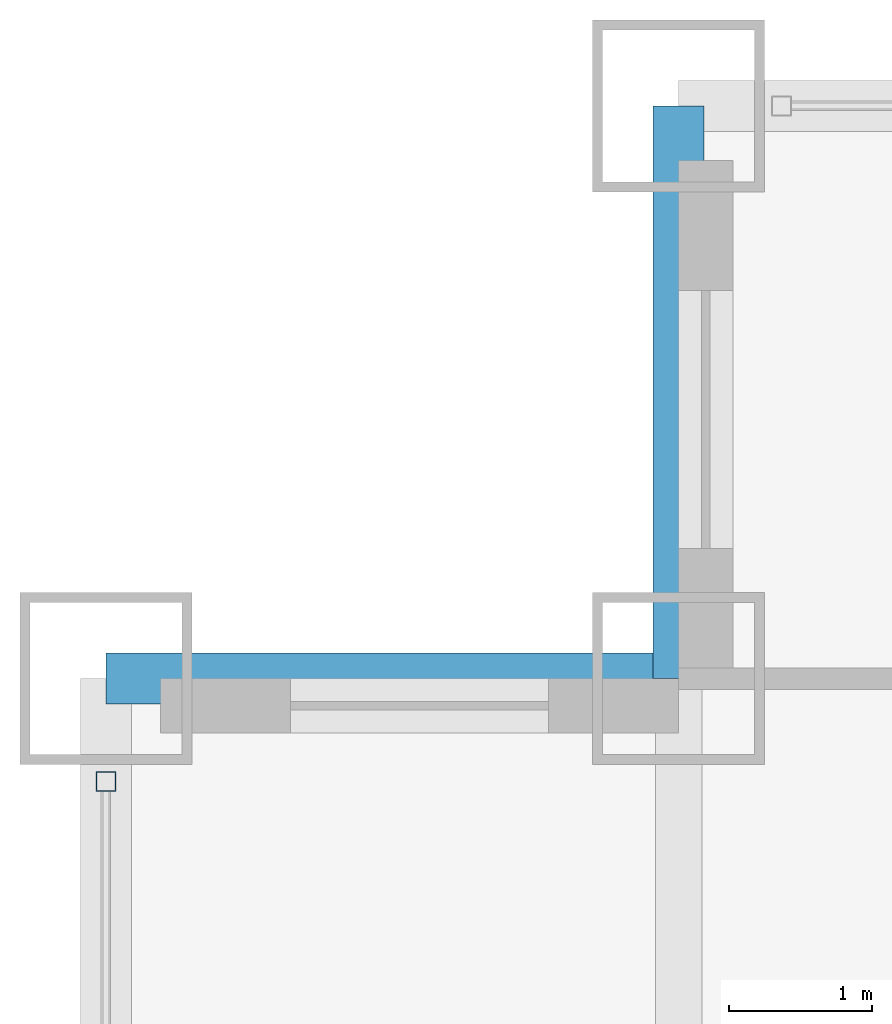
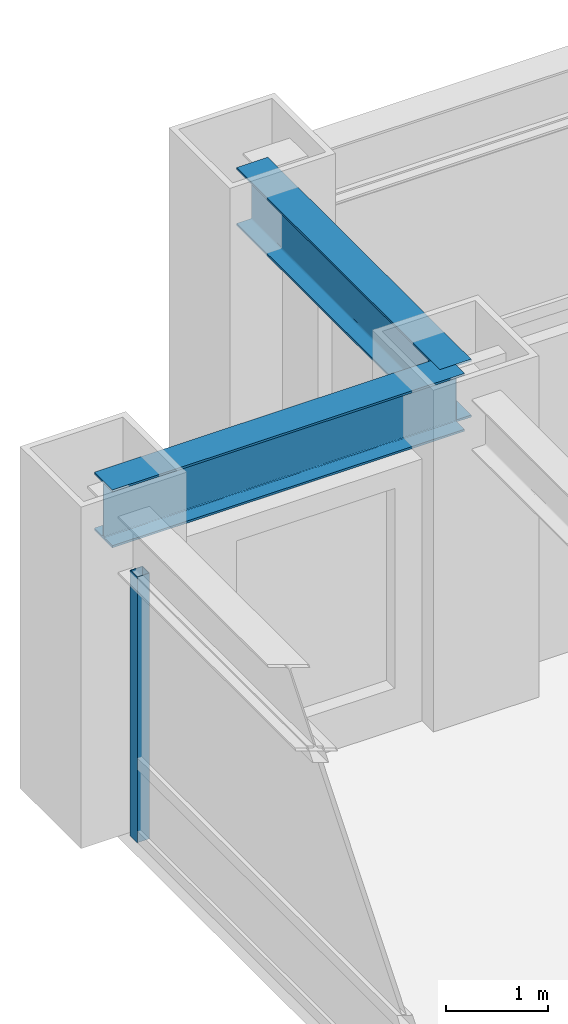
# One storey, part 10 of 28: 2 beams, 1 member, 1 element without a shape of its own.
"""IFC4 building model written with IfcOpenShell, lengths in metres."""

from ifc_helpers import new_model, si_unit, direction, frame, origin, origin_2d, place, context, subcontext, project, spatial, hollow_rectangle, i_section, extrude, source, transform, mapped, material, material_profile, profile_set, type_object, element, aggregate, save


model = new_model("IFC4")

# Units and contexts
model_context = context("Model", 3, precision=1e-05, world=origin(), true_north=direction((0.0, 1.0)))
body_context = subcontext(model_context, "Body", "Model", "MODEL_VIEW")
ifc_project = project(units=[si_unit("LENGTHUNIT", "METRE"), si_unit("AREAUNIT", "SQUARE_METRE"), si_unit("VOLUMEUNIT", "CUBIC_METRE"), si_unit("PLANEANGLEUNIT", "RADIAN"), si_unit("MASSUNIT", "GRAM", prefix="KILO")], contexts=[model_context])

# Site, building, storey
site_placement = place(None, origin())
site = spatial("IfcSite", under=ifc_project, at=site_placement, CompositionType="ELEMENT")
building_placement = place(site_placement, origin())
building = spatial("IfcBuilding", under=site, at=building_placement, Name="Khorayat Bourse Tower", CompositionType="ELEMENT")
storey_placement = place(building_placement, frame((0.0, 0.0, 124.199951171875)))
storey = spatial("IfcBuildingStorey", under=building, at=storey_placement, Name="L28", CompositionType="ELEMENT", Elevation=124.199951171875)

# Beams
ifc_material_1 = material(Name="Steel ASTM A992 Grade 50", Category="steel")
ifc_material_profile_1 = material_profile(ifc_material_1, i_section(OverallWidth=0.35498046875, OverallDepth=0.695068359375, WebThickness=0.015380859375, FlangeThickness=0.02490234375, FilletRadius=0.01806640625, at=origin_2d()), Name="W690X217")
ifc_profile_set_1 = profile_set([ifc_material_profile_1], Name="Steel ASTM A992 Grade 50")
beam_type = type_object("IfcBeamType", Name="BM-SPAN-690", PredefinedType="SPANDREL", material=ifc_profile_set_1)
shared_shape_1 = source(origin(), body_context, "Body", "SweptSolid", [
    extrude(i_section(OverallWidth=0.35498046875, OverallDepth=0.695068359375, WebThickness=0.015380859375, FlangeThickness=0.02490234375, FilletRadius=0.01806640625, at=origin_2d()), origin(), (0.0, 0.0, 1.0), 4.0),
])
for number, where, z_axis, x_axis, name in (
    (1, (-28.0, 28.0, 3.492431640625), (0.0, 1.0, 0.0), (-1.0, 0.0, 0.0), "L28 BM-SPAN-690 BM-L28-SPN-052"),
    (2, (-32.0, 28.0, 3.492431640625), (1.0, 0.0, 0.0), (0.0, 1.0, 0.0), "L28 BM-SPAN-690 BM-L28-SPN-053"),
):
    element("IfcBeam", number, at=place(storey_placement, frame(where, z_axis=z_axis, x_axis=x_axis)), inside=storey, type_object=beam_type, Name=name, PredefinedType="SPANDREL", context=body_context, shape_type="MappedRepresentation", body=[
        mapped(shared_shape_1, transform((0.0, 0.0, 0.0), scale=1.0)),
    ])

# Curtain wall, member
ifc_material_2 = material(Name="Aluminium EN AW-6063 T6", Category="aluminium")
curtain_wall_type = type_object("IfcCurtainWallType", Name="CW-SYS-02", PredefinedType="NOTDEFINED", material=ifc_material_2)
curtain_wall_placement = place(storey_placement, origin())
curtain_wall = element("IfcCurtainWall", 3, at=curtain_wall_placement, inside=storey, type_object=curtain_wall_type, Name="L28 Curtain Wall CW-L28-W1", PredefinedType="NOTDEFINED")
ifc_material_profile_2 = material_profile(ifc_material_2, hollow_rectangle(XDim=0.139892578125, YDim=0.139892578125, WallThickness=0.006103515625, at=origin_2d()), Name="ALU 140x140x6")
ifc_profile_set_2 = profile_set([ifc_material_profile_2], Name="Aluminium EN AW-6063 T6")
member_type = type_object("IfcMemberType", Name="CWM-VERT-140", PredefinedType="MULLION", material=ifc_profile_set_2)
shared_shape_2 = source(origin(), body_context, "Body", "SweptSolid", [
    extrude(hollow_rectangle(XDim=0.139892578125, YDim=0.139892578125, WallThickness=0.006103515625, at=origin_2d()), origin(), (0.0, 0.0, 1.0), 3.18994140625),
])
member_placement = place(storey_placement, frame((-32.0, 27.280029296875, 0.0), z_axis=(0.0, 0.0, 1.0), x_axis=(-1.0, 0.0, 0.0)))
member = element("IfcMember", 4, at=member_placement, type_object=member_type, Name="CW-L28-W1 Vertical Mullion 3", PredefinedType="MULLION", context=body_context, shape_type="MappedRepresentation", body=[
    mapped(shared_shape_2, transform((0.0, 0.0, 0.0), scale=1.0)),
])
aggregate(curtain_wall, [member])

save(model, "model.ifc")
